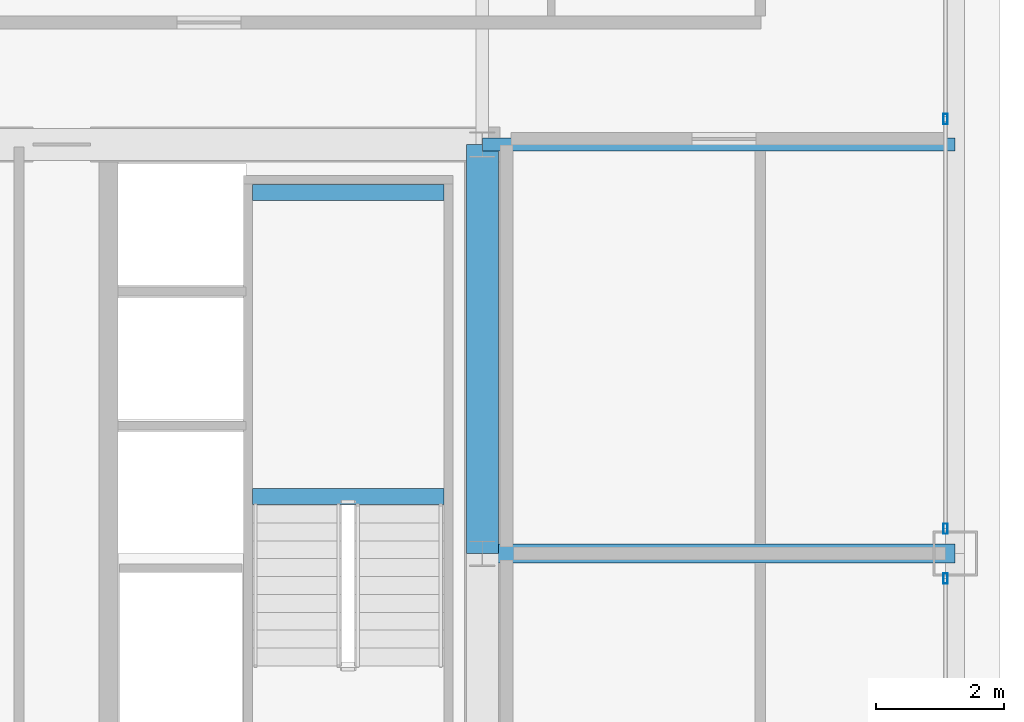
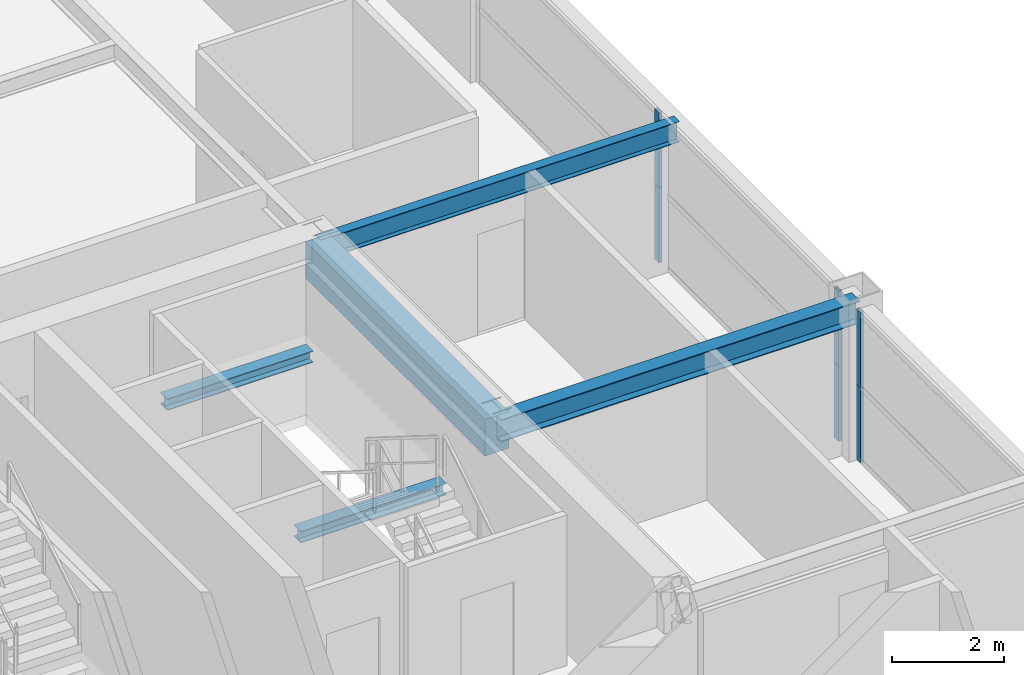
# One storey, part 20 of 36: 6 members, 5 beams, 2 elements without a shape of their own.
"""IFC4 building model written with IfcOpenShell, lengths in metres."""

from ifc_helpers import new_model, si_unit, direction, frame, origin, origin_2d, place, context, subcontext, project, spatial, rectangle, hollow_rectangle, i_section, extrude, source, transform, mapped, material, layer, layer_set, material_profile, profile_set, type_object, element, aggregate, save


model = new_model("IFC4")

# Units and contexts
model_context = context("Model", 3, precision=1e-05, world=origin(), true_north=direction((0.0, 1.0)))
body_context = subcontext(model_context, "Body", "Model", "MODEL_VIEW")
ifc_project = project(units=[si_unit("LENGTHUNIT", "METRE"), si_unit("AREAUNIT", "SQUARE_METRE"), si_unit("VOLUMEUNIT", "CUBIC_METRE"), si_unit("PLANEANGLEUNIT", "RADIAN"), si_unit("MASSUNIT", "GRAM", prefix="KILO"), si_unit("THERMODYNAMICTEMPERATUREUNIT", "KELVIN"), si_unit("POWERUNIT", "WATT")], contexts=[model_context])

# Site, building, storey
site_placement = place(None, origin())
site = spatial("IfcSite", under=ifc_project, at=site_placement, CompositionType="ELEMENT")
building_placement = place(site_placement, origin())
building = spatial("IfcBuilding", under=site, at=building_placement, Name="Yuzanri Waterfront Tower", CompositionType="ELEMENT")
storey_placement = place(building_placement, frame((0.0, 0.0, 224.10009765625)))
storey = spatial("IfcBuildingStorey", under=building, at=storey_placement, Name="L59", CompositionType="ELEMENT", Elevation=224.10009765625)

# Beams
ifc_material_1 = material(Name="Concrete C50", Category="concrete")
ifc_material_profile_1 = material_profile(ifc_material_1, rectangle(XDim=0.5, YDim=0.800048828125, at=origin_2d()), Name="RC 500x800")
ifc_profile_set_1 = profile_set([ifc_material_profile_1], Name="Concrete C50")
beam_type_1 = type_object("IfcBeamType", Name="Core Coupling Lintel Concrete C50 500x800", PredefinedType="LINTEL", material=ifc_profile_set_1)
shared_shape_1 = source(origin(), body_context, "Body", "SweptSolid", [
    extrude(rectangle(XDim=0.5, YDim=0.800048828125, at=origin_2d()), origin(), (0.0, 0.0, 1.0), 6.39990234375),
])
beam_1_placement = place(storey_placement, frame((50.199951171875, 25.800048828125, 2.8798828125), z_axis=(0.0, 1.0, 0.0), x_axis=(-1.0, 0.0, 0.0)))
element("IfcBeam", 1, at=beam_1_placement, inside=storey, type_object=beam_type_1, Name="L59 Core Tie Beam CE2", PredefinedType="LINTEL", context=body_context, shape_type="MappedRepresentation", body=[
    mapped(shared_shape_1, transform((0.0, 0.0, 0.0), scale=1.0)),
])
ifc_material_2 = material(Name="Steel Q355B", Category="steel")
ifc_material_profile_2 = material_profile(ifc_material_2, i_section(OverallWidth=0.300048828125, OverallDepth=0.488037109375, WebThickness=0.010986328125, FlangeThickness=0.01806640625, at=origin_2d()), Name="HM 488x300x11x18")
ifc_profile_set_2 = profile_set([ifc_material_profile_2], Name="Steel Q355B")
beam_type_2 = type_object("IfcBeamType", Name="Primary Floor Girder Q355B HM 488x300", PredefinedType="BEAM", material=ifc_profile_set_2)
shared_shape_2 = source(origin(), body_context, "Body", "SweptSolid", [
    extrude(i_section(OverallWidth=0.300048828125, OverallDepth=0.488037109375, WebThickness=0.010986328125, FlangeThickness=0.01806640625, at=origin_2d()), origin(), (0.0, 0.0, 1.0), 7.400146484375),
])
beam_2_placement = place(storey_placement, frame((50.199951171875, 25.800048828125, 3.035888671875), z_axis=(1.0, 0.0, 0.0), x_axis=(0.0, 1.0, 0.0)))
element("IfcBeam", 2, at=beam_2_placement, inside=storey, type_object=beam_type_2, Name="L59 East Grid Girder", PredefinedType="BEAM", context=body_context, shape_type="MappedRepresentation", body=[
    mapped(shared_shape_2, transform((0.0, 0.0, 0.0), scale=1.0)),
])
ifc_material_3 = material(Name="Steel Q355B", Category="steel")
ifc_material_profile_3 = material_profile(ifc_material_3, i_section(OverallWidth=0.199951171875, OverallDepth=0.449951171875, WebThickness=0.009033203125, FlangeThickness=0.013916015625, at=origin_2d()), Name="HN 450x200x9x14")
ifc_profile_set_3 = profile_set([ifc_material_profile_3], Name="Steel Q355B")
beam_type_3 = type_object("IfcBeamType", Name="Secondary Floor Beam Q355B HN 450x200", PredefinedType="BEAM", material=ifc_profile_set_3)
shared_shape_3 = source(origin(), body_context, "Body", "SweptSolid", [
    extrude(i_section(OverallWidth=0.199951171875, OverallDepth=0.449951171875, WebThickness=0.009033203125, FlangeThickness=0.013916015625, at=origin_2d()), origin(), (0.0, 0.0, 1.0), 7.400146484375),
])
beam_3_placement = place(storey_placement, frame((50.199951171875, 32.199951171875, 3.054931640625), z_axis=(1.0, 0.0, 0.0), x_axis=(0.0, 1.0, 0.0)))
element("IfcBeam", 3, at=beam_3_placement, inside=storey, type_object=beam_type_3, Name="L59 East-North Core Line Beam", PredefinedType="BEAM", context=body_context, shape_type="MappedRepresentation", body=[
    mapped(shared_shape_3, transform((0.0, 0.0, 0.0), scale=1.0)),
])

# Curtain wall, members
ifc_material_4 = material(Name="Anodized Architectural Bronze", Category="metal")
ifc_layer = layer(ifc_material_4, 0.159912109375)
ifc_layer_set = layer_set([ifc_layer], Name="Anodized Architectural Bronze")
curtain_wall_type = type_object("IfcCurtainWallType", Name="Anodized Bronze Mid-Rise Residential Acoustic Unitized Curtain Wall 7200", PredefinedType="NOTDEFINED", material=ifc_layer_set)
curtain_wall_1_placement = place(storey_placement, origin())
curtain_wall_1 = element("IfcCurtainWall", 4, at=curtain_wall_1_placement, inside=storey, type_object=curtain_wall_type, Name="L59 Curtain Wall CW-L59-EL", PredefinedType="NOTDEFINED")
ifc_material_5 = material(Name="Anodized Architectural Bronze", Category="metal")
ifc_material_profile_4 = material_profile(ifc_material_5, hollow_rectangle(XDim=0.06494140625, YDim=0.159912109375, WallThickness=0.00341796875, at=origin_2d()), Name="CWM 65x160")
ifc_profile_set_4 = profile_set([ifc_material_profile_4], Name="Anodized Architectural Bronze")
member_type = type_object("IfcMemberType", Name="Anodized Bronze Upper-Zone Curtain-Wall Mullion 65x160", PredefinedType="MULLION", material=ifc_profile_set_4)
shared_shape_4 = source(origin(), body_context, "Body", "SweptSolid", [
    extrude(hollow_rectangle(XDim=0.06494140625, YDim=0.159912109375, WallThickness=0.00341796875, at=origin_2d()), origin(), (0.0, 0.0, 1.0), 1.637939453125),
])
member_1_placement = place(storey_placement, frame((57.449951171875, 25.409912109375, 0.0), z_axis=(0.0, 0.0, 1.0), x_axis=(1.0, 0.0, 0.0)))
member_1 = element("IfcMember", 5, at=member_1_placement, type_object=member_type, Name="CW-L59-EL Lower Mullion 02", PredefinedType="MULLION", context=body_context, shape_type="MappedRepresentation", body=[
    mapped(shared_shape_4, transform((0.0, 0.0, 0.0), scale=1.0)),
])
member_2_placement = place(storey_placement, frame((57.449951171875, 25.409912109375, 1.641845703125), z_axis=(0.0, 0.0, 1.0), x_axis=(1.0, 0.0, 0.0)))
member_2 = element("IfcMember", 6, at=member_2_placement, type_object=member_type, Name="CW-L59-EL Upper Mullion 02", PredefinedType="MULLION", context=body_context, shape_type="MappedRepresentation", body=[
    mapped(shared_shape_4, transform((0.0, 0.0, 0.0), scale=1.0)),
])
aggregate(curtain_wall_1, [member_1, member_2])

curtain_wall_2_placement = place(storey_placement, origin())
curtain_wall_2 = element("IfcCurtainWall", 7, at=curtain_wall_2_placement, inside=storey, type_object=curtain_wall_type, Name="L59 Curtain Wall CW-L59-ER", PredefinedType="NOTDEFINED")
member_3_placement = place(storey_placement, frame((57.449951171875, 26.18994140625, 0.0), z_axis=(0.0, 0.0, 1.0), x_axis=(1.0, 0.0, 0.0)))
member_3 = element("IfcMember", 8, at=member_3_placement, type_object=member_type, Name="CW-L59-ER Lower Mullion 00", PredefinedType="MULLION", context=body_context, shape_type="MappedRepresentation", body=[
    mapped(shared_shape_4, transform((0.0, 0.0, 0.0), scale=1.0)),
])
member_4_placement = place(storey_placement, frame((57.449951171875, 26.18994140625, 1.641845703125), z_axis=(0.0, 0.0, 1.0), x_axis=(1.0, 0.0, 0.0)))
member_4 = element("IfcMember", 9, at=member_4_placement, type_object=member_type, Name="CW-L59-ER Upper Mullion 00", PredefinedType="MULLION", context=body_context, shape_type="MappedRepresentation", body=[
    mapped(shared_shape_4, transform((0.0, 0.0, 0.0), scale=1.0)),
])
member_5_placement = place(storey_placement, frame((57.449951171875, 32.60009765625, 0.0), z_axis=(0.0, 0.0, 1.0), x_axis=(1.0, 0.0, 0.0)))
member_5 = element("IfcMember", 10, at=member_5_placement, type_object=member_type, Name="CW-L59-ER Lower Mullion 01", PredefinedType="MULLION", context=body_context, shape_type="MappedRepresentation", body=[
    mapped(shared_shape_4, transform((0.0, 0.0, 0.0), scale=1.0)),
])
member_6_placement = place(storey_placement, frame((57.449951171875, 32.60009765625, 1.641845703125), z_axis=(0.0, 0.0, 1.0), x_axis=(1.0, 0.0, 0.0)))
member_6 = element("IfcMember", 11, at=member_6_placement, type_object=member_type, Name="CW-L59-ER Upper Mullion 01", PredefinedType="MULLION", context=body_context, shape_type="MappedRepresentation", body=[
    mapped(shared_shape_4, transform((0.0, 0.0, 0.0), scale=1.0)),
])
aggregate(curtain_wall_2, [member_3, member_4, member_5, member_6])

# Beams
ifc_material_6 = material(Name="Steel Q355B", Category="steel")
ifc_material_profile_5 = material_profile(ifc_material_6, i_section(OverallWidth=0.25, OverallDepth=0.25, WebThickness=0.009033203125, FlangeThickness=0.013916015625, at=origin_2d()), Name="HW 250x250x9x14")
ifc_profile_set_5 = profile_set([ifc_material_profile_5], Name="Steel Q355B")
beam_type_4 = type_object("IfcBeamType", Name="Stair Landing Support Beam Q355B HW 250x250", PredefinedType="BEAM", material=ifc_profile_set_5)
shared_shape_5 = source(origin(), body_context, "Body", "SweptSolid", [
    extrude(i_section(OverallWidth=0.25, OverallDepth=0.25, WebThickness=0.009033203125, FlangeThickness=0.013916015625, at=origin_2d()), origin(), (0.0, 0.0, 1.0), 3.0),
])
for number, where, z_axis, x_axis, name in (
    (12, (46.60009765625, 26.68994140625, 1.4248046875), (1.0, 0.0, 0.0), (0.0, 1.0, 0.0), "L59 Stair Landing Support Beam ST-02-L59-L1-1"),
    (13, (46.60009765625, 31.449951171875, 1.4248046875), (1.0, 0.0, 0.0), (0.0, 1.0, 0.0), "L59 Stair Landing Support Beam ST-02-L59-L1-2"),
):
    element("IfcBeam", number, at=place(storey_placement, frame(where, z_axis=z_axis, x_axis=x_axis)), inside=storey, type_object=beam_type_4, Name=name, PredefinedType="BEAM", context=body_context, shape_type="MappedRepresentation", body=[
        mapped(shared_shape_5, transform((0.0, 0.0, 0.0), scale=1.0)),
    ])

save(model, "model.ifc")
